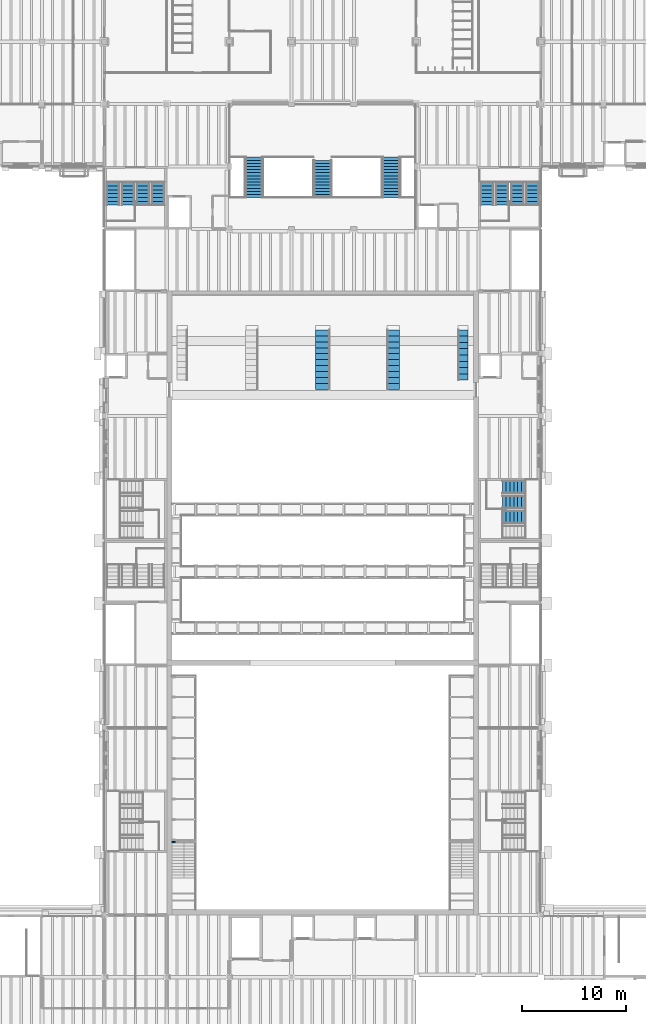
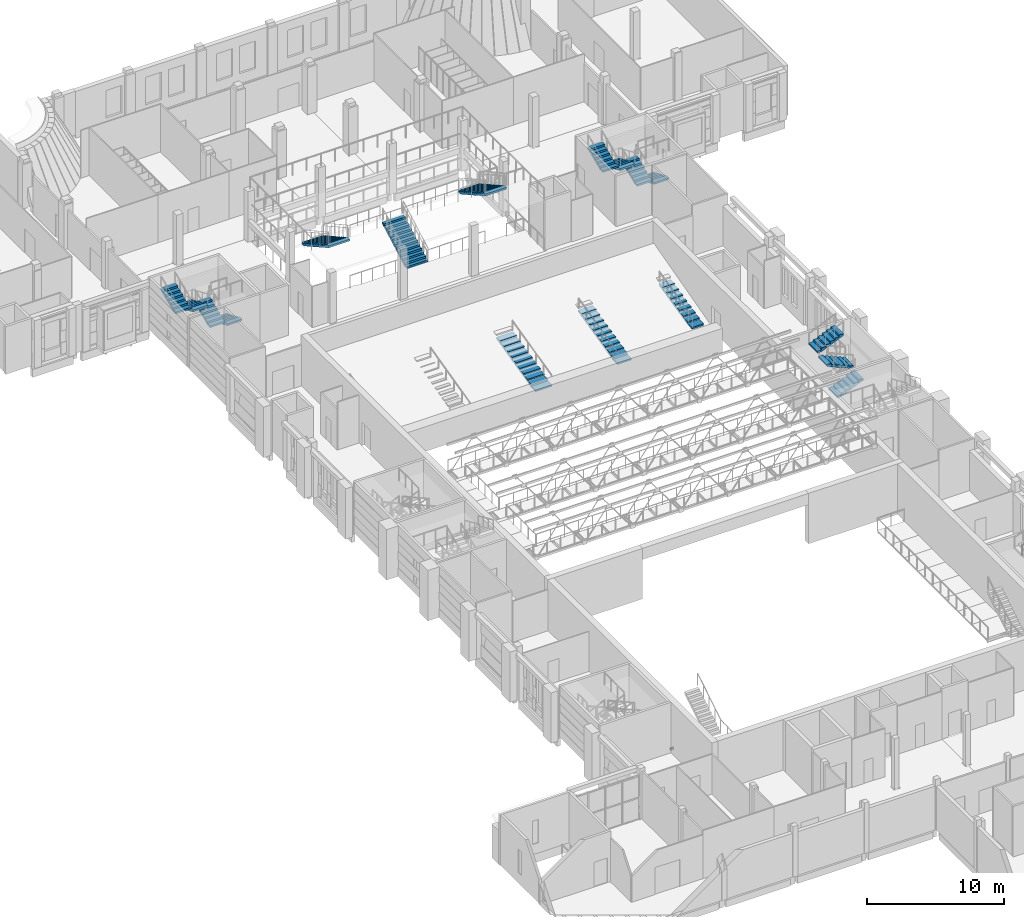
# One storey, part 37 of 70: 17 stair flights, 1 discrete accessory, 7 elements without a shape of their own.
"""IFC4 building model written with IfcOpenShell, lengths in metres."""

from ifc_helpers import new_model, si_unit, direction, frame, origin, origin_2d, place, context, subcontext, project, spatial, polyline, rectangle, outline, extrude, material, type_object, element, aggregate, save


model = new_model("IFC4")

# Units and contexts
model_context = context("Model", 3, precision=1e-05, world=origin(), true_north=direction((0.0, 1.0)))
body_context = subcontext(model_context, "Body", "Model", "MODEL_VIEW")
ifc_project = project(units=[si_unit("LENGTHUNIT", "METRE"), si_unit("AREAUNIT", "SQUARE_METRE"), si_unit("VOLUMEUNIT", "CUBIC_METRE"), si_unit("PLANEANGLEUNIT", "RADIAN"), si_unit("MASSUNIT", "GRAM", prefix="KILO")], contexts=[model_context])

# Site, building, storey
site_placement = place(None, origin())
site = spatial("IfcSite", under=ifc_project, at=site_placement, CompositionType="ELEMENT")
building_placement = place(site_placement, origin())
building = spatial("IfcBuilding", under=site, at=building_placement, Name="Saffron Lane Theatres", CompositionType="ELEMENT")
storey_placement = place(building_placement, frame((0.0, 0.0, 12.0)))
storey = spatial("IfcBuildingStorey", under=building, at=storey_placement, Name="L02", CompositionType="ELEMENT", Elevation=12.0)

# Stair, stair flight
ifc_material_1 = material(Name="Concrete N40 (40 MPa)", Category="concrete")
stair_type_1 = type_object("IfcStairType", Name="VC-STAIR AISLE", PredefinedType="STRAIGHT_RUN_STAIR", material=ifc_material_1)
stair_1_placement = place(storey_placement, origin())
stair_1 = element("IfcStair", 1, at=stair_1_placement, inside=storey, type_object=stair_type_1, Name="Dress Circle aisle 5", PredefinedType="STRAIGHT_RUN_STAIR")
ifc_material_2 = material(Name="Concrete N40 (40 MPa)", Category="concrete")
stair_flight_type_1 = type_object("IfcStairFlightType", Name="VC-FLIGHT 1000", PredefinedType="STRAIGHT", material=ifc_material_2)
stair_flight_1_placement = place(storey_placement, frame((46.5, 81.449951171875, 0.3916015625), z_axis=(0.0, 0.0, 1.0), x_axis=(0.0, 1.0, 0.0)))
stair_flight_1 = element("IfcStairFlight", 2, at=stair_flight_1_placement, type_object=stair_flight_type_1, Name="Dress Circle aisle 5 flight", NumberOfRisers=9, NumberOfTreads=8, PredefinedType="STRAIGHT", RiserHeight=0.14484, TreadLength=0.6035, context=body_context, shape_type="SweptSolid", body=[
    extrude(outline(polyline([(0.0, 0.0), (0.0, 0.144775390625), (0.603515625, 0.144775390625), (0.603515625, 0.289794921875), (1.20703125, 0.289794921875), (1.20703125, 0.4345703125), (1.810546875, 0.4345703125), (1.810546875, 0.579345703125), (2.4140625, 0.579345703125), (2.4140625, 0.72412109375), (3.017578125, 0.72412109375), (3.017578125, 0.869140625), (3.62109375, 0.869140625), (3.62109375, 1.013916015625), (4.224609375, 1.013916015625), (4.224609375, 1.15869140625), (4.827880859375, 1.15869140625), (4.827880859375, 1.303466796875), (4.827880859375, 1.004638671875), (0.642333984375, 0.0), (0.0, 0.0)])), frame((0.0, 0.5, 0.0), z_axis=(0.0, -1.0, 0.0), x_axis=(1.0, 0.0, 0.0)), (0.0, 0.0, 1.0), 1.0),
])
aggregate(stair_1, [stair_flight_1])

stair_2_placement = place(storey_placement, origin())
stair_2 = element("IfcStair", 3, at=stair_2_placement, inside=storey, type_object=stair_type_1, Name="Dress Circle aisle 4", PredefinedType="STRAIGHT_RUN_STAIR")
ifc_material_3 = material(Name="Concrete N40 (40 MPa)", Category="concrete")
stair_flight_type_2 = type_object("IfcStairFlightType", Name="VC-FLIGHT 1200", PredefinedType="STRAIGHT", material=ifc_material_3)
stair_flight_2_placement = place(storey_placement, frame((39.800048828125, 80.550048828125, 0.1484375), z_axis=(0.0, 0.0, 1.0), x_axis=(0.0, 1.0, 0.0)))
stair_flight_2 = element("IfcStairFlight", 4, at=stair_flight_2_placement, type_object=stair_flight_type_2, Name="Dress Circle aisle 4 flight", NumberOfRisers=11, NumberOfTreads=10, PredefinedType="STRAIGHT", RiserHeight=0.140596364, TreadLength=0.5728, context=body_context, shape_type="SweptSolid", body=[
    extrude(outline(polyline([(0.0, 0.0), (0.0, 0.140625), (0.57275390625, 0.140625), (0.57275390625, 0.28125), (1.1455078125, 0.28125), (1.1455078125, 0.421875), (1.718505859375, 0.421875), (1.718505859375, 0.5625), (2.291259765625, 0.5625), (2.291259765625, 0.702880859375), (2.864013671875, 0.702880859375), (2.864013671875, 0.843505859375), (3.436767578125, 0.843505859375), (3.436767578125, 0.984130859375), (4.009521484375, 0.984130859375), (4.009521484375, 1.124755859375), (4.58251953125, 1.124755859375), (4.58251953125, 1.265380859375), (5.1552734375, 1.265380859375), (5.1552734375, 1.406005859375), (5.72802734375, 1.406005859375), (5.72802734375, 1.546630859375), (5.72802734375, 1.251708984375), (0.62890625, 0.0), (0.0, 0.0)])), frame((0.0, 0.60009765625, 0.0), z_axis=(0.0, -1.0, 0.0), x_axis=(1.0, 0.0, 0.0)), (0.0, 0.0, 1.0), 1.199951171875),
])
aggregate(stair_2, [stair_flight_2])

# Stair, stair flights
ifc_material_4 = material(Name="Concrete N40 (40 MPa)", Category="concrete")
stair_type_2 = type_object("IfcStairType", Name="VC-STAIR EXIT", PredefinedType="TWO_STRAIGHT_RUN_STAIR", material=ifc_material_4)
stair_3_placement = place(storey_placement, origin())
stair_3 = element("IfcStair", 5, at=stair_3_placement, inside=storey, type_object=stair_type_2, Name="Brick Block West Stair L02 to L03", PredefinedType="TWO_STRAIGHT_RUN_STAIR")
ifc_material_5 = material(Name="Concrete N40 (40 MPa)", Category="concrete")
stair_flight_type_3 = type_object("IfcStairFlightType", Name="VC-FLIGHT 1250", PredefinedType="STRAIGHT", material=ifc_material_5)
stair_flight_3_placement = place(storey_placement, frame((17.175048828125, 100.5, 0.0), z_axis=(0.0, 0.0, 1.0), x_axis=(0.0, -1.0, 0.0)))
stair_flight_3 = element("IfcStairFlight", 6, at=stair_flight_3_placement, type_object=stair_flight_type_3, Name="Brick Block West Stair flight 3.1", NumberOfRisers=7, NumberOfTreads=6, PredefinedType="STRAIGHT", RiserHeight=0.160714286, TreadLength=0.37, context=body_context, shape_type="SweptSolid", body=[
    extrude(outline(polyline([(0.0, 0.0), (0.0, 0.16064453125), (0.3701171875, 0.16064453125), (0.3701171875, 0.321533203125), (0.739990234375, 0.321533203125), (0.739990234375, 0.482177734375), (1.110107421875, 0.482177734375), (1.110107421875, 0.642822265625), (1.47998046875, 0.642822265625), (1.47998046875, 0.803466796875), (1.85009765625, 0.803466796875), (1.85009765625, 0.96435546875), (2.219970703125, 0.96435546875), (2.219970703125, 1.125), (2.219970703125, 0.80078125), (0.376220703125, 0.0), (0.0, 0.0)])), frame((0.0, 0.625, 0.0), z_axis=(0.0, -1.0, 0.0), x_axis=(1.0, 0.0, 0.0)), (0.0, 0.0, 1.0), 1.25),
])
stair_flight_4_placement = place(storey_placement, frame((15.72509765625, 98.280029296875, 1.125), z_axis=(0.0, 0.0, 1.0), x_axis=(0.0, 1.0, 0.0)))
stair_flight_4 = element("IfcStairFlight", 7, at=stair_flight_4_placement, type_object=stair_flight_type_3, Name="Brick Block West Stair flight 3.2", NumberOfRisers=7, NumberOfTreads=6, PredefinedType="STRAIGHT", RiserHeight=0.160714286, TreadLength=0.37, context=body_context, shape_type="SweptSolid", body=[
    extrude(outline(polyline([(0.0, 0.0), (0.0, 0.16064453125), (0.3701171875, 0.16064453125), (0.3701171875, 0.321533203125), (0.739990234375, 0.321533203125), (0.739990234375, 0.482177734375), (1.110107421875, 0.482177734375), (1.110107421875, 0.642822265625), (1.47998046875, 0.642822265625), (1.47998046875, 0.803466796875), (1.85009765625, 0.803466796875), (1.85009765625, 0.96435546875), (2.219970703125, 0.96435546875), (2.219970703125, 1.125), (2.219970703125, 0.80078125), (0.376220703125, 0.0), (0.0, 0.0)])), frame((0.0, 0.625, 0.0), z_axis=(0.0, -1.0, 0.0), x_axis=(1.0, 0.0, 0.0)), (0.0, 0.0, 1.0), 1.25),
])
stair_flight_5_placement = place(storey_placement, frame((14.27490234375, 100.5, 2.25), z_axis=(0.0, 0.0, 1.0), x_axis=(0.0, -1.0, 0.0)))
stair_flight_5 = element("IfcStairFlight", 8, at=stair_flight_5_placement, type_object=stair_flight_type_3, Name="Brick Block West Stair flight 3.3", NumberOfRisers=7, NumberOfTreads=6, PredefinedType="STRAIGHT", RiserHeight=0.160714286, TreadLength=0.37, context=body_context, shape_type="SweptSolid", body=[
    extrude(outline(polyline([(0.0, 0.0), (0.0, 0.16064453125), (0.3701171875, 0.16064453125), (0.3701171875, 0.321533203125), (0.739990234375, 0.321533203125), (0.739990234375, 0.482177734375), (1.110107421875, 0.482177734375), (1.110107421875, 0.642822265625), (1.47998046875, 0.642822265625), (1.47998046875, 0.803466796875), (1.85009765625, 0.803466796875), (1.85009765625, 0.96435546875), (2.219970703125, 0.96435546875), (2.219970703125, 1.125), (2.219970703125, 0.80078125), (0.376220703125, 0.0), (0.0, 0.0)])), frame((0.0, 0.625, 0.0), z_axis=(0.0, -1.0, 0.0), x_axis=(1.0, 0.0, 0.0)), (0.0, 0.0, 1.0), 1.25),
])
stair_flight_6_placement = place(storey_placement, frame((12.824951171875, 98.280029296875, 3.375), z_axis=(0.0, 0.0, 1.0), x_axis=(0.0, 1.0, 0.0)))
stair_flight_6 = element("IfcStairFlight", 9, at=stair_flight_6_placement, type_object=stair_flight_type_3, Name="Brick Block West Stair flight 3.4", NumberOfRisers=7, NumberOfTreads=6, PredefinedType="STRAIGHT", RiserHeight=0.160714286, TreadLength=0.37, context=body_context, shape_type="SweptSolid", body=[
    extrude(outline(polyline([(0.0, 0.0), (0.0, 0.16064453125), (0.3701171875, 0.16064453125), (0.3701171875, 0.321533203125), (0.739990234375, 0.321533203125), (0.739990234375, 0.482177734375), (1.110107421875, 0.482177734375), (1.110107421875, 0.642822265625), (1.47998046875, 0.642822265625), (1.47998046875, 0.803466796875), (1.85009765625, 0.803466796875), (1.85009765625, 0.96435546875), (2.219970703125, 0.96435546875), (2.219970703125, 1.125), (2.219970703125, 0.80078125), (0.376220703125, 0.0), (0.0, 0.0)])), frame((0.0, 0.625, 0.0), z_axis=(0.0, -1.0, 0.0), x_axis=(1.0, 0.0, 0.0)), (0.0, 0.0, 1.0), 1.25),
])
aggregate(stair_3, [stair_flight_3, stair_flight_4, stair_flight_5, stair_flight_6])

stair_4_placement = place(storey_placement, origin())
stair_4 = element("IfcStair", 10, at=stair_4_placement, inside=storey, type_object=stair_type_2, Name="Brick Block East Stair L02 to L03", PredefinedType="TWO_STRAIGHT_RUN_STAIR")
stair_flight_7_placement = place(storey_placement, frame((53.175048828125, 100.5, 0.0), z_axis=(0.0, 0.0, 1.0), x_axis=(0.0, -1.0, 0.0)))
stair_flight_7 = element("IfcStairFlight", 11, at=stair_flight_7_placement, type_object=stair_flight_type_3, Name="Brick Block East Stair flight 3.1", NumberOfRisers=7, NumberOfTreads=6, PredefinedType="STRAIGHT", RiserHeight=0.160714286, TreadLength=0.37, context=body_context, shape_type="SweptSolid", body=[
    extrude(outline(polyline([(0.0, 0.0), (0.0, 0.16064453125), (0.3701171875, 0.16064453125), (0.3701171875, 0.321533203125), (0.739990234375, 0.321533203125), (0.739990234375, 0.482177734375), (1.110107421875, 0.482177734375), (1.110107421875, 0.642822265625), (1.47998046875, 0.642822265625), (1.47998046875, 0.803466796875), (1.85009765625, 0.803466796875), (1.85009765625, 0.96435546875), (2.219970703125, 0.96435546875), (2.219970703125, 1.125), (2.219970703125, 0.80078125), (0.376220703125, 0.0), (0.0, 0.0)])), frame((0.0, 0.625, 0.0), z_axis=(0.0, -1.0, 0.0), x_axis=(1.0, 0.0, 0.0)), (0.0, 0.0, 1.0), 1.25),
])
stair_flight_8_placement = place(storey_placement, frame((51.72509765625, 98.280029296875, 1.125), z_axis=(0.0, 0.0, 1.0), x_axis=(0.0, 1.0, 0.0)))
stair_flight_8 = element("IfcStairFlight", 12, at=stair_flight_8_placement, type_object=stair_flight_type_3, Name="Brick Block East Stair flight 3.2", NumberOfRisers=7, NumberOfTreads=6, PredefinedType="STRAIGHT", RiserHeight=0.160714286, TreadLength=0.37, context=body_context, shape_type="SweptSolid", body=[
    extrude(outline(polyline([(0.0, 0.0), (0.0, 0.16064453125), (0.3701171875, 0.16064453125), (0.3701171875, 0.321533203125), (0.739990234375, 0.321533203125), (0.739990234375, 0.482177734375), (1.110107421875, 0.482177734375), (1.110107421875, 0.642822265625), (1.47998046875, 0.642822265625), (1.47998046875, 0.803466796875), (1.85009765625, 0.803466796875), (1.85009765625, 0.96435546875), (2.219970703125, 0.96435546875), (2.219970703125, 1.125), (2.219970703125, 0.80078125), (0.376220703125, 0.0), (0.0, 0.0)])), frame((0.0, 0.625, 0.0), z_axis=(0.0, -1.0, 0.0), x_axis=(1.0, 0.0, 0.0)), (0.0, 0.0, 1.0), 1.25),
])
stair_flight_9_placement = place(storey_placement, frame((50.27490234375, 100.5, 2.25), z_axis=(0.0, 0.0, 1.0), x_axis=(0.0, -1.0, 0.0)))
stair_flight_9 = element("IfcStairFlight", 13, at=stair_flight_9_placement, type_object=stair_flight_type_3, Name="Brick Block East Stair flight 3.3", NumberOfRisers=7, NumberOfTreads=6, PredefinedType="STRAIGHT", RiserHeight=0.160714286, TreadLength=0.37, context=body_context, shape_type="SweptSolid", body=[
    extrude(outline(polyline([(0.0, 0.0), (0.0, 0.16064453125), (0.3701171875, 0.16064453125), (0.3701171875, 0.321533203125), (0.739990234375, 0.321533203125), (0.739990234375, 0.482177734375), (1.110107421875, 0.482177734375), (1.110107421875, 0.642822265625), (1.47998046875, 0.642822265625), (1.47998046875, 0.803466796875), (1.85009765625, 0.803466796875), (1.85009765625, 0.96435546875), (2.219970703125, 0.96435546875), (2.219970703125, 1.125), (2.219970703125, 0.80078125), (0.376220703125, 0.0), (0.0, 0.0)])), frame((0.0, 0.625, 0.0), z_axis=(0.0, -1.0, 0.0), x_axis=(1.0, 0.0, 0.0)), (0.0, 0.0, 1.0), 1.25),
])
stair_flight_10_placement = place(storey_placement, frame((48.824951171875, 98.280029296875, 3.375), z_axis=(0.0, 0.0, 1.0), x_axis=(0.0, 1.0, 0.0)))
stair_flight_10 = element("IfcStairFlight", 14, at=stair_flight_10_placement, type_object=stair_flight_type_3, Name="Brick Block East Stair flight 3.4", NumberOfRisers=7, NumberOfTreads=6, PredefinedType="STRAIGHT", RiserHeight=0.160714286, TreadLength=0.37, context=body_context, shape_type="SweptSolid", body=[
    extrude(outline(polyline([(0.0, 0.0), (0.0, 0.16064453125), (0.3701171875, 0.16064453125), (0.3701171875, 0.321533203125), (0.739990234375, 0.321533203125), (0.739990234375, 0.482177734375), (1.110107421875, 0.482177734375), (1.110107421875, 0.642822265625), (1.47998046875, 0.642822265625), (1.47998046875, 0.803466796875), (1.85009765625, 0.803466796875), (1.85009765625, 0.96435546875), (2.219970703125, 0.96435546875), (2.219970703125, 1.125), (2.219970703125, 0.80078125), (0.376220703125, 0.0), (0.0, 0.0)])), frame((0.0, 0.625, 0.0), z_axis=(0.0, -1.0, 0.0), x_axis=(1.0, 0.0, 0.0)), (0.0, 0.0, 1.0), 1.25),
])
aggregate(stair_4, [stair_flight_7, stair_flight_8, stair_flight_9, stair_flight_10])

stair_5_placement = place(storey_placement, origin())
stair_5 = element("IfcStair", 15, at=stair_5_placement, inside=storey, type_object=stair_type_2, Name="Auditorium East Rear Stair L02 to L03", PredefinedType="TWO_STRAIGHT_RUN_STAIR")
stair_flight_11_placement = place(storey_placement, frame((50.280029296875, 68.27490234375, 1.125), z_axis=(0.0, 0.0, 1.0), x_axis=(1.0, 0.0, 0.0)))
stair_flight_11 = element("IfcStairFlight", 16, at=stair_flight_11_placement, type_object=stair_flight_type_3, Name="Auditorium East Rear Stair flight 3.2", NumberOfRisers=7, NumberOfTreads=6, PredefinedType="STRAIGHT", RiserHeight=0.160714286, TreadLength=0.37, context=body_context, shape_type="SweptSolid", body=[
    extrude(outline(polyline([(0.0, 0.0), (0.0, 0.16064453125), (0.3701171875, 0.16064453125), (0.3701171875, 0.321533203125), (0.739990234375, 0.321533203125), (0.739990234375, 0.482177734375), (1.110107421875, 0.482177734375), (1.110107421875, 0.642822265625), (1.47998046875, 0.642822265625), (1.47998046875, 0.803466796875), (1.85009765625, 0.803466796875), (1.85009765625, 0.96435546875), (2.219970703125, 0.96435546875), (2.219970703125, 1.125), (2.219970703125, 0.80078125), (0.376220703125, 0.0), (0.0, 0.0)])), frame((0.0, 0.625, 0.0), z_axis=(0.0, -1.0, 0.0), x_axis=(1.0, 0.0, 0.0)), (0.0, 0.0, 1.0), 1.25),
])
stair_flight_12_placement = place(storey_placement, frame((52.5, 69.72509765625, 2.25), z_axis=(0.0, 0.0, 1.0), x_axis=(-1.0, 0.0, 0.0)))
stair_flight_12 = element("IfcStairFlight", 17, at=stair_flight_12_placement, type_object=stair_flight_type_3, Name="Auditorium East Rear Stair flight 3.3", NumberOfRisers=7, NumberOfTreads=6, PredefinedType="STRAIGHT", RiserHeight=0.160714286, TreadLength=0.37, context=body_context, shape_type="SweptSolid", body=[
    extrude(outline(polyline([(0.0, 0.0), (0.0, 0.16064453125), (0.3701171875, 0.16064453125), (0.3701171875, 0.321533203125), (0.739990234375, 0.321533203125), (0.739990234375, 0.482177734375), (1.110107421875, 0.482177734375), (1.110107421875, 0.642822265625), (1.47998046875, 0.642822265625), (1.47998046875, 0.803466796875), (1.85009765625, 0.803466796875), (1.85009765625, 0.96435546875), (2.219970703125, 0.96435546875), (2.219970703125, 1.125), (2.219970703125, 0.80078125), (0.376220703125, 0.0), (0.0, 0.0)])), frame((0.0, 0.625, 0.0), z_axis=(0.0, -1.0, 0.0), x_axis=(1.0, 0.0, 0.0)), (0.0, 0.0, 1.0), 1.25),
])
stair_flight_13_placement = place(storey_placement, frame((50.280029296875, 71.175048828125, 3.375), z_axis=(0.0, 0.0, 1.0), x_axis=(1.0, 0.0, 0.0)))
stair_flight_13 = element("IfcStairFlight", 18, at=stair_flight_13_placement, type_object=stair_flight_type_3, Name="Auditorium East Rear Stair flight 3.4", NumberOfRisers=7, NumberOfTreads=6, PredefinedType="STRAIGHT", RiserHeight=0.160714286, TreadLength=0.37, context=body_context, shape_type="SweptSolid", body=[
    extrude(outline(polyline([(0.0, 0.0), (0.0, 0.16064453125), (0.3701171875, 0.16064453125), (0.3701171875, 0.321533203125), (0.739990234375, 0.321533203125), (0.739990234375, 0.482177734375), (1.110107421875, 0.482177734375), (1.110107421875, 0.642822265625), (1.47998046875, 0.642822265625), (1.47998046875, 0.803466796875), (1.85009765625, 0.803466796875), (1.85009765625, 0.96435546875), (2.219970703125, 0.96435546875), (2.219970703125, 1.125), (2.219970703125, 0.80078125), (0.376220703125, 0.0), (0.0, 0.0)])), frame((0.0, 0.625, 0.0), z_axis=(0.0, -1.0, 0.0), x_axis=(1.0, 0.0, 0.0)), (0.0, 0.0, 1.0), 1.25),
])
aggregate(stair_5, [stair_flight_11, stair_flight_12, stair_flight_13])

# Stair, stair flight
stair_6_placement = place(storey_placement, origin())
stair_6 = element("IfcStair", 19, at=stair_6_placement, inside=storey, type_object=stair_type_1, Name="Dress Circle aisle 3", PredefinedType="STRAIGHT_RUN_STAIR")
ifc_material_6 = material(Name="Concrete N40 (40 MPa)", Category="concrete")
stair_flight_type_4 = type_object("IfcStairFlightType", Name="VC-FLIGHT 1400", PredefinedType="STRAIGHT", material=ifc_material_6)
stair_flight_14_placement = place(storey_placement, frame((33.0, 80.550048828125, 0.1484375), z_axis=(0.0, 0.0, 1.0), x_axis=(0.0, 1.0, 0.0)))
stair_flight_14 = element("IfcStairFlight", 20, at=stair_flight_14_placement, type_object=stair_flight_type_4, Name="Dress Circle aisle 3 flight", NumberOfRisers=11, NumberOfTreads=10, PredefinedType="STRAIGHT", RiserHeight=0.140596364, TreadLength=0.5728, context=body_context, shape_type="SweptSolid", body=[
    extrude(outline(polyline([(0.0, 0.0), (0.0, 0.140625), (0.57275390625, 0.140625), (0.57275390625, 0.28125), (1.1455078125, 0.28125), (1.1455078125, 0.421875), (1.718505859375, 0.421875), (1.718505859375, 0.5625), (2.291259765625, 0.5625), (2.291259765625, 0.702880859375), (2.864013671875, 0.702880859375), (2.864013671875, 0.843505859375), (3.436767578125, 0.843505859375), (3.436767578125, 0.984130859375), (4.009521484375, 0.984130859375), (4.009521484375, 1.124755859375), (4.58251953125, 1.124755859375), (4.58251953125, 1.265380859375), (5.1552734375, 1.265380859375), (5.1552734375, 1.406005859375), (5.72802734375, 1.406005859375), (5.72802734375, 1.546630859375), (5.72802734375, 1.251708984375), (0.62890625, 0.0), (0.0, 0.0)])), frame((0.0, 0.699951171875, 0.0), z_axis=(0.0, -1.0, 0.0), x_axis=(1.0, 0.0, 0.0)), (0.0, 0.0, 1.0), 1.39990234375),
])
aggregate(stair_6, [stair_flight_14])

# Stair, stair flights
ifc_material_7 = material(Name="Concrete N40 (40 MPa)", Category="concrete")
stair_type_3 = type_object("IfcStairType", Name="VC-STAIR GRAND", PredefinedType="DOUBLE_RETURN_STAIR", material=ifc_material_7)
stair_7_placement = place(storey_placement, origin())
stair_7 = element("IfcStair", 21, at=stair_7_placement, inside=storey, type_object=stair_type_3, Name="Grand Stair L02 to L03", PredefinedType="DOUBLE_RETURN_STAIR")
ifc_material_8 = material(Name="Concrete N40 (40 MPa)", Category="concrete")
stair_flight_type_5 = type_object("IfcStairFlightType", Name="VC-FLIGHT 1800", PredefinedType="STRAIGHT", material=ifc_material_8)
stair_flight_15_placement = place(storey_placement, frame((33.0, 99.0, 0.0), z_axis=(0.0, 0.0, 1.0), x_axis=(0.0, 1.0, 0.0)))
stair_flight_15 = element("IfcStairFlight", 22, at=stair_flight_15_placement, type_object=stair_flight_type_5, Name="Grand Stair flight 3.1", NumberOfRisers=13, NumberOfTreads=12, PredefinedType="STRAIGHT", RiserHeight=0.166666667, TreadLength=0.3, context=body_context, shape_type="SweptSolid", body=[
    extrude(outline(polyline([(0.0, 0.0), (0.0, 0.166748046875), (0.300048828125, 0.166748046875), (0.300048828125, 0.333251953125), (0.60009765625, 0.333251953125), (0.60009765625, 0.5), (0.89990234375, 0.5), (0.89990234375, 0.666748046875), (1.199951171875, 0.666748046875), (1.199951171875, 0.833251953125), (1.5, 0.833251953125), (1.5, 1.0), (1.800048828125, 1.0), (1.800048828125, 1.166748046875), (2.10009765625, 1.166748046875), (2.10009765625, 1.333251953125), (2.39990234375, 1.333251953125), (2.39990234375, 1.5), (2.699951171875, 1.5), (2.699951171875, 1.666748046875), (3.0, 1.666748046875), (3.0, 1.833251953125), (3.300048828125, 1.833251953125), (3.300048828125, 2.0), (3.60009765625, 2.0), (3.60009765625, 2.166748046875), (3.60009765625, 1.82861328125), (0.30859375, 0.0), (0.0, 0.0)])), frame((0.0, 0.89990234375, 0.0), z_axis=(0.0, -1.0, 0.0), x_axis=(1.0, 0.0, 0.0)), (0.0, 0.0, 1.0), 1.800048828125),
])
stair_flight_16_placement = place(storey_placement, frame((26.39990234375, 102.89990234375, 2.166748046875), z_axis=(0.0, 0.0, 1.0), x_axis=(0.0, -1.0, 0.0)))
stair_flight_16 = element("IfcStairFlight", 23, at=stair_flight_16_placement, type_object=stair_flight_type_5, Name="Grand Stair flight 3.2", NumberOfRisers=14, NumberOfTreads=13, PredefinedType="STRAIGHT", RiserHeight=0.166666667, TreadLength=0.3, context=body_context, shape_type="SweptSolid", body=[
    extrude(outline(polyline([(0.0, 0.0), (0.0, 0.166748046875), (0.300048828125, 0.166748046875), (0.300048828125, 0.333251953125), (0.60009765625, 0.333251953125), (0.60009765625, 0.5), (0.89990234375, 0.5), (0.89990234375, 0.666748046875), (1.199951171875, 0.666748046875), (1.199951171875, 0.833251953125), (1.5, 0.833251953125), (1.5, 1.0), (1.800048828125, 1.0), (1.800048828125, 1.166748046875), (2.10009765625, 1.166748046875), (2.10009765625, 1.333251953125), (2.39990234375, 1.333251953125), (2.39990234375, 1.5), (2.699951171875, 1.5), (2.699951171875, 1.666748046875), (3.0, 1.666748046875), (3.0, 1.833251953125), (3.300048828125, 1.833251953125), (3.300048828125, 2.0), (3.60009765625, 2.0), (3.60009765625, 2.166748046875), (3.89990234375, 2.166748046875), (3.89990234375, 2.333251953125), (3.89990234375, 1.9951171875), (0.30859375, 0.0), (0.0, 0.0)])), frame((0.0, 0.89990234375, 0.0), z_axis=(0.0, -1.0, 0.0), x_axis=(1.0, 0.0, 0.0)), (0.0, 0.0, 1.0), 1.800048828125),
])
stair_flight_17_placement = place(storey_placement, frame((39.60009765625, 102.89990234375, 2.166748046875), z_axis=(0.0, 0.0, 1.0), x_axis=(0.0, -1.0, 0.0)))
stair_flight_17 = element("IfcStairFlight", 24, at=stair_flight_17_placement, type_object=stair_flight_type_5, Name="Grand Stair flight 3.3", NumberOfRisers=14, NumberOfTreads=13, PredefinedType="STRAIGHT", RiserHeight=0.166666667, TreadLength=0.3, context=body_context, shape_type="SweptSolid", body=[
    extrude(outline(polyline([(0.0, 0.0), (0.0, 0.166748046875), (0.300048828125, 0.166748046875), (0.300048828125, 0.333251953125), (0.60009765625, 0.333251953125), (0.60009765625, 0.5), (0.89990234375, 0.5), (0.89990234375, 0.666748046875), (1.199951171875, 0.666748046875), (1.199951171875, 0.833251953125), (1.5, 0.833251953125), (1.5, 1.0), (1.800048828125, 1.0), (1.800048828125, 1.166748046875), (2.10009765625, 1.166748046875), (2.10009765625, 1.333251953125), (2.39990234375, 1.333251953125), (2.39990234375, 1.5), (2.699951171875, 1.5), (2.699951171875, 1.666748046875), (3.0, 1.666748046875), (3.0, 1.833251953125), (3.300048828125, 1.833251953125), (3.300048828125, 2.0), (3.60009765625, 2.0), (3.60009765625, 2.166748046875), (3.89990234375, 2.166748046875), (3.89990234375, 2.333251953125), (3.89990234375, 1.9951171875), (0.30859375, 0.0), (0.0, 0.0)])), frame((0.0, 0.89990234375, 0.0), z_axis=(0.0, -1.0, 0.0), x_axis=(1.0, 0.0, 0.0)), (0.0, 0.0, 1.0), 1.800048828125),
])
aggregate(stair_7, [stair_flight_15, stair_flight_16, stair_flight_17])

# Discrete accessory
discrete_accessory_placement = place(storey_placement, frame((18.64990234375, 37.0, -0.5615234375), z_axis=(0.0, 0.0, 1.0), x_axis=(1.0, 0.0, 0.0)))
element("IfcDiscreteAccessory", 25, at=discrete_accessory_placement, inside=storey, Name="FKW12-1", PredefinedType="BRACKET", context=body_context, shape_type="SweptSolid", body=[
    extrude(rectangle(XDim=0.300048828125, YDim=0.14990234375, at=origin_2d()), origin(), (0.0, 0.0, 1.0), 0.199951171875),
])

save(model, "model.ifc")
